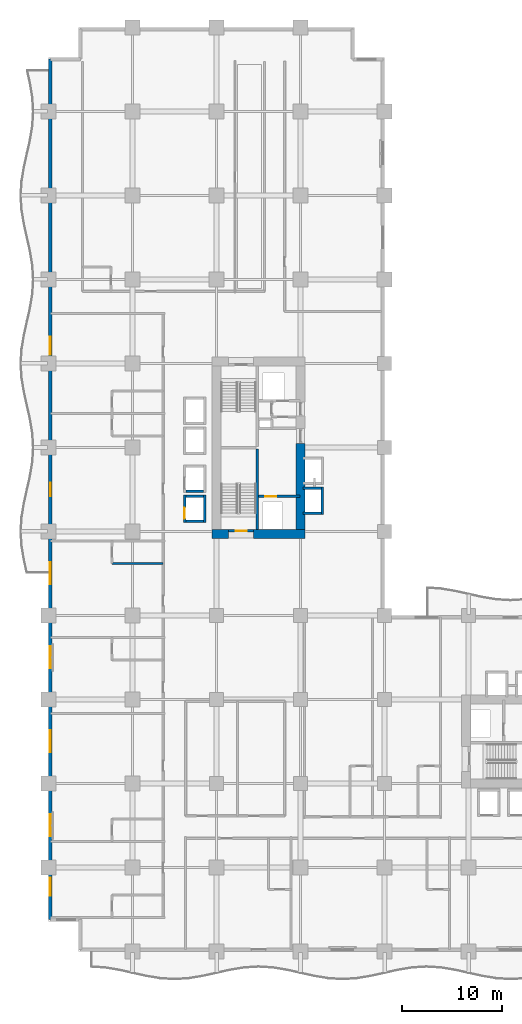
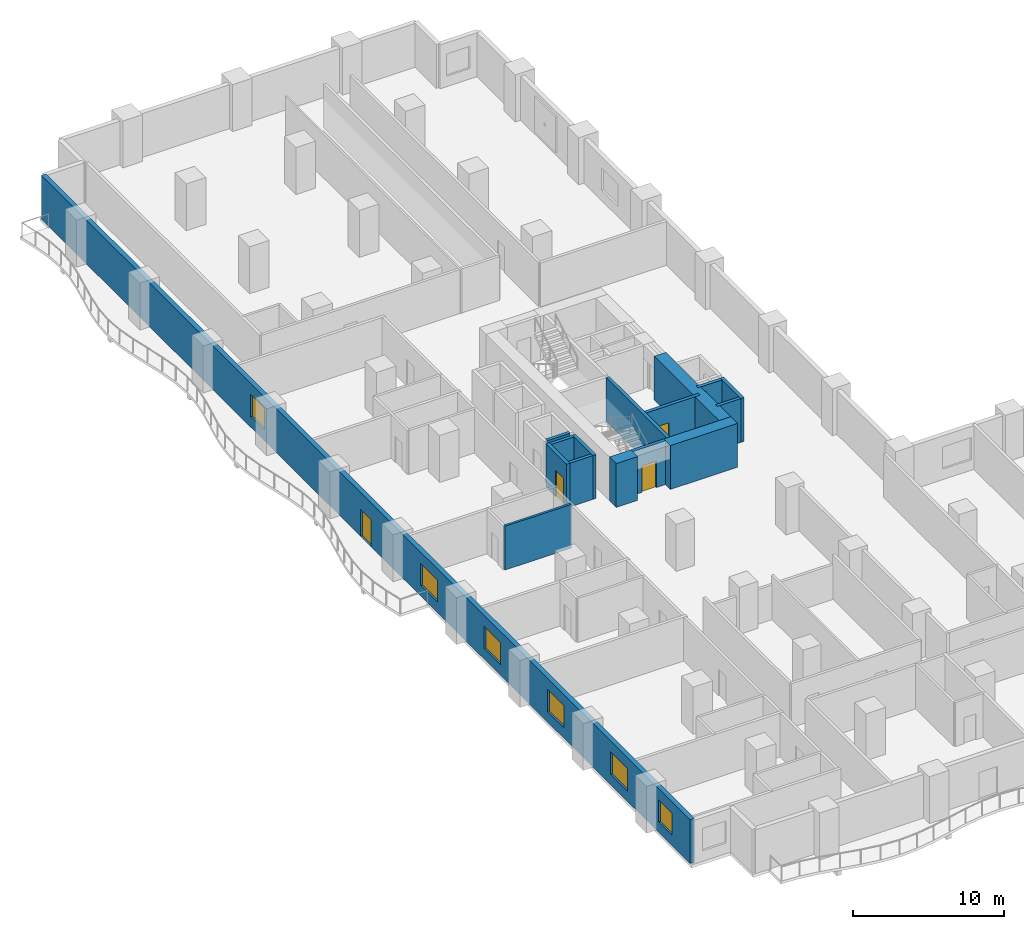
# One storey, part 15 of 27: 16 walls, 6 windows, 4 doors, 10 openings.
"""IFC4 building model written with IfcOpenShell, lengths in metres."""

from ifc_helpers import new_model, si_unit, direction, frame, frame_2d, origin, place, context, subcontext, project, spatial, rectangle, extrude, material, layer, layer_set, type_object, element, fill, save


model = new_model("IFC4")

# Units and contexts
model_context = context("Model", 3, precision=1e-05, world=origin(), true_north=direction((0.0, 1.0)))
body_context = subcontext(model_context, "Body", "Model", "MODEL_VIEW")
ifc_project = project(units=[si_unit("LENGTHUNIT", "METRE"), si_unit("AREAUNIT", "SQUARE_METRE"), si_unit("VOLUMEUNIT", "CUBIC_METRE"), si_unit("PLANEANGLEUNIT", "RADIAN"), si_unit("MASSUNIT", "GRAM", prefix="KILO")], contexts=[model_context])

# Site, building, storey
site_placement = place(None, origin())
site = spatial("IfcSite", under=ifc_project, at=site_placement, CompositionType="ELEMENT")
building_placement = place(site_placement, origin())
building = spatial("IfcBuilding", under=site, at=building_placement, Name="Koriwani Terraces Tower", CompositionType="ELEMENT")
storey_placement = place(building_placement, frame((0.0, 0.0, 70.0)))
storey = spatial("IfcBuildingStorey", under=building, at=storey_placement, Name="L16", CompositionType="ELEMENT", Elevation=70.0)

# Walls
ifc_material_1 = material(Name="Concrete C60/75", Category="concrete")
ifc_layer_1 = layer(ifc_material_1, 0.89990234375, Name="Concrete C60/75")
ifc_layer_set_1 = layer_set([ifc_layer_1], Name="Concrete C60/75")
wall_type_1 = type_object("IfcWallType", Name="WALL_CORE_RC_900", PredefinedType="SHEAR", material=ifc_layer_set_1)
wall_1_placement = place(storey_placement, frame((16.35009765625, 41.75, 0.0), z_axis=(0.0, 0.0, 1.0), x_axis=(1.0, 0.0, 0.0)))
element("IfcWall", 1, at=wall_1_placement, inside=storey, type_object=wall_type_1, Name="L16 West Split Core Shear Wall S1", PredefinedType="SHEAR", context=body_context, shape_type="SweptSolid", body=[
    extrude(rectangle(XDim=1.64990234375, YDim=0.89990234375, at=frame_2d((0.824951171875, 0.0))), origin(), (0.0, 0.0, 1.0), 3.550048828125),
])
wall_2_placement = place(storey_placement, frame((20.5, 41.75, 0.0), z_axis=(0.0, 0.0, 1.0), x_axis=(1.0, 0.0, 0.0)))
element("IfcWall", 2, at=wall_2_placement, inside=storey, type_object=wall_type_1, Name="L16 West Split Core Shear Wall S2", PredefinedType="SHEAR", context=body_context, shape_type="SweptSolid", body=[
    extrude(rectangle(XDim=5.14990234375, YDim=0.89990234375, at=frame_2d((2.574951171875, 0.0))), origin(), (0.0, 0.0, 1.0), 3.550048828125),
])
wall_3_placement = place(storey_placement, frame((25.199951171875, 42.199951171875, 0.0), z_axis=(0.0, 0.0, 1.0), x_axis=(0.0, 1.0, 0.0)))
element("IfcWall", 3, at=wall_3_placement, inside=storey, type_object=wall_type_1, Name="L16 West Split Core Shear Wall E1", PredefinedType="SHEAR", context=body_context, shape_type="SweptSolid", body=[
    extrude(rectangle(XDim=8.60009765625, YDim=0.89990234375, at=frame_2d((4.300048828125, 0.0))), origin(), (0.0, 0.0, 1.0), 3.550048828125),
])

# Wall, openings, door, windows
ifc_material_2 = material(Name="Concrete C50/60", Category="concrete")
ifc_layer_2 = layer(ifc_material_2, 0.35009765625, Name="Concrete C50/60")
ifc_layer_set_2 = layer_set([ifc_layer_2], Name="Concrete C50/60")
wall_type_2 = type_object("IfcWallType", Name="WALL_EXT_BRUTALIST_350", PredefinedType="STANDARD", material=ifc_layer_set_2)
wall_4_placement = place(storey_placement, frame((0.175048828125, 3.175048828125, 0.0), z_axis=(0.0, 0.0, 1.0), x_axis=(0.0, 1.0, 0.0)))
wall_4 = element("IfcWall", 4, at=wall_4_placement, inside=storey, type_object=wall_type_2, Name="L16 Fair-Faced Brutalist Exterior Wall (W)", PredefinedType="STANDARD", context=body_context, shape_type="SweptSolid", body=[
    extrude(rectangle(XDim=86.050048828125, YDim=0.35009765625, at=frame_2d((43.02490234375, 0.0))), origin(), (0.0, 0.0, 1.0), 3.550048828125),
])
opening_1_placement = place(wall_4_placement, frame((42.324951171875, 0.0, 0.0)))
opening_1 = element("IfcOpeningElement", 5, at=opening_1_placement, cuts=wall_4, Name="Opening D-09", PredefinedType="OPENING", context=body_context, shape_type="SweptSolid", body=[
    extrude(rectangle(XDim=1.39990234375, YDim=2.199951171875, at=frame_2d((0.699951171875, 1.10009765625))), frame((0.0, 0.18505859375, 0.0), z_axis=(0.0, -1.0, 0.0), x_axis=(1.0, 0.0, 0.0)), (0.0, 0.0, 1.0), 0.3701171875),
])
opening_2_placement = place(wall_4_placement, frame((8.324951171875, 0.0, 0.85009765625)))
opening_2 = element("IfcOpeningElement", 6, at=opening_2_placement, cuts=wall_4, Name="Opening W-01", PredefinedType="OPENING", context=body_context, shape_type="SweptSolid", body=[
    extrude(rectangle(XDim=2.199951171875, YDim=1.800048828125, at=frame_2d((1.10009765625, 0.89990234375))), frame((0.0, 0.18505859375, 0.0), z_axis=(0.0, -1.0, 0.0), x_axis=(1.0, 0.0, 0.0)), (0.0, 0.0, 1.0), 0.3701171875),
])
opening_3_placement = place(wall_4_placement, frame((16.72509765625, 0.0, 0.85009765625)))
opening_3 = element("IfcOpeningElement", 7, at=opening_3_placement, cuts=wall_4, Name="Opening W-01", PredefinedType="OPENING", context=body_context, shape_type="SweptSolid", body=[
    extrude(rectangle(XDim=2.199951171875, YDim=1.800048828125, at=frame_2d((1.10009765625, 0.89990234375))), frame((0.0, 0.18505859375, 0.0), z_axis=(0.0, -1.0, 0.0), x_axis=(1.0, 0.0, 0.0)), (0.0, 0.0, 1.0), 0.3701171875),
])
opening_4_placement = place(wall_4_placement, frame((25.125, 0.0, 0.85009765625)))
opening_4 = element("IfcOpeningElement", 8, at=opening_4_placement, cuts=wall_4, Name="Opening W-01", PredefinedType="OPENING", context=body_context, shape_type="SweptSolid", body=[
    extrude(rectangle(XDim=2.199951171875, YDim=1.800048828125, at=frame_2d((1.10009765625, 0.89990234375))), frame((0.0, 0.18505859375, 0.0), z_axis=(0.0, -1.0, 0.0), x_axis=(1.0, 0.0, 0.0)), (0.0, 0.0, 1.0), 0.3701171875),
])
opening_5_placement = place(wall_4_placement, frame((33.52490234375, 0.0, 0.85009765625)))
opening_5 = element("IfcOpeningElement", 9, at=opening_5_placement, cuts=wall_4, Name="Opening W-01", PredefinedType="OPENING", context=body_context, shape_type="SweptSolid", body=[
    extrude(rectangle(XDim=2.199951171875, YDim=1.800048828125, at=frame_2d((1.10009765625, 0.89990234375))), frame((0.0, 0.18505859375, 0.0), z_axis=(0.0, -1.0, 0.0), x_axis=(1.0, 0.0, 0.0)), (0.0, 0.0, 1.0), 0.3701171875),
])
opening_6_placement = place(wall_4_placement, frame((2.375, 0.0, 0.85009765625)))
opening_6 = element("IfcOpeningElement", 10, at=opening_6_placement, cuts=wall_4, Name="Opening W-04", PredefinedType="OPENING", context=body_context, shape_type="SweptSolid", body=[
    extrude(rectangle(XDim=1.800048828125, YDim=1.800048828125, at=frame_2d((0.89990234375, 0.89990234375))), frame((0.0, 0.18505859375, 0.0), z_axis=(0.0, -1.0, 0.0), x_axis=(1.0, 0.0, 0.0)), (0.0, 0.0, 1.0), 0.3701171875),
])
opening_7_placement = place(wall_4_placement, frame((56.47509765625, 0.0, 0.85009765625)))
opening_7 = element("IfcOpeningElement", 11, at=opening_7_placement, cuts=wall_4, Name="Opening W-04", PredefinedType="OPENING", context=body_context, shape_type="SweptSolid", body=[
    extrude(rectangle(XDim=1.800048828125, YDim=1.800048828125, at=frame_2d((0.89990234375, 0.89990234375))), frame((0.0, 0.18505859375, 0.0), z_axis=(0.0, -1.0, 0.0), x_axis=(1.0, 0.0, 0.0)), (0.0, 0.0, 1.0), 0.3701171875),
])
ifc_material_3 = material(Name="Anodised Bronze Aluminium", Category="aluminium")
door_type_1 = type_object("IfcDoorType", Name="DOOR_BALCONY_GLAZED_1400X2200", OperationType="NOTDEFINED", PredefinedType="DOOR", material=ifc_material_3)
door_1_placement = place(opening_1_placement, origin())
door_1 = element("IfcDoor", 12, at=door_1_placement, inside=storey, type_object=door_type_1, Name="L16 West Balcony Glazed Door", OperationType="SINGLE_SWING_LEFT", OverallHeight=2.199951171875, OverallWidth=1.39990234375, PredefinedType="DOOR", context=body_context, shape_type="SweptSolid", body=[
    extrude(rectangle(XDim=1.39990234375, YDim=2.199951171875, at=frame_2d((0.699951171875, 1.10009765625))), frame((0.0, 0.02490234375, 0.0), z_axis=(0.0, -1.0, 0.0), x_axis=(1.0, 0.0, 0.0)), (0.0, 0.0, 1.0), 0.050048828125),
])
fill(opening_1, door_1)
ifc_material_4 = material(Name="Tempered Laminated Low-E Glass", Category="glass")
window_type_1 = type_object("IfcWindowType", Name="WIN_HOTEL_STD_2200X1800", PartitioningType="DOUBLE_PANEL_VERTICAL", PredefinedType="WINDOW", material=ifc_material_4)
window_1_placement = place(opening_2_placement, origin())
window_1 = element("IfcWindow", 13, at=window_1_placement, inside=storey, type_object=window_type_1, Name="L16 Exterior Window (W-3)", OverallHeight=1.800048828125, OverallWidth=2.199951171875, PartitioningType="SINGLE_PANEL", PredefinedType="WINDOW", context=body_context, shape_type="SweptSolid", body=[
    extrude(rectangle(XDim=2.199951171875, YDim=1.800048828125, at=frame_2d((1.10009765625, 0.89990234375))), frame((0.0, 0.030029296875, 0.0), z_axis=(0.0, -1.0, 0.0), x_axis=(1.0, 0.0, 0.0)), (0.0, 0.0, 1.0), 0.06005859375),
])
fill(opening_2, window_1)
window_2_placement = place(opening_3_placement, origin())
window_2 = element("IfcWindow", 14, at=window_2_placement, inside=storey, type_object=window_type_1, Name="L16 Exterior Window (W-6)", OverallHeight=1.800048828125, OverallWidth=2.199951171875, PartitioningType="SINGLE_PANEL", PredefinedType="WINDOW", context=body_context, shape_type="SweptSolid", body=[
    extrude(rectangle(XDim=2.199951171875, YDim=1.800048828125, at=frame_2d((1.10009765625, 0.89990234375))), frame((0.0, 0.030029296875, 0.0), z_axis=(0.0, -1.0, 0.0), x_axis=(1.0, 0.0, 0.0)), (0.0, 0.0, 1.0), 0.06005859375),
])
fill(opening_3, window_2)
window_3_placement = place(opening_4_placement, origin())
window_3 = element("IfcWindow", 15, at=window_3_placement, inside=storey, type_object=window_type_1, Name="L16 Exterior Window (W-9)", OverallHeight=1.800048828125, OverallWidth=2.199951171875, PartitioningType="SINGLE_PANEL", PredefinedType="WINDOW", context=body_context, shape_type="SweptSolid", body=[
    extrude(rectangle(XDim=2.199951171875, YDim=1.800048828125, at=frame_2d((1.10009765625, 0.89990234375))), frame((0.0, 0.030029296875, 0.0), z_axis=(0.0, -1.0, 0.0), x_axis=(1.0, 0.0, 0.0)), (0.0, 0.0, 1.0), 0.06005859375),
])
fill(opening_4, window_3)
window_4_placement = place(opening_5_placement, origin())
window_4 = element("IfcWindow", 16, at=window_4_placement, inside=storey, type_object=window_type_1, Name="L16 Exterior Window (W-12)", OverallHeight=1.800048828125, OverallWidth=2.199951171875, PartitioningType="SINGLE_PANEL", PredefinedType="WINDOW", context=body_context, shape_type="SweptSolid", body=[
    extrude(rectangle(XDim=2.199951171875, YDim=1.800048828125, at=frame_2d((1.10009765625, 0.89990234375))), frame((0.0, 0.030029296875, 0.0), z_axis=(0.0, -1.0, 0.0), x_axis=(1.0, 0.0, 0.0)), (0.0, 0.0, 1.0), 0.06005859375),
])
fill(opening_5, window_4)
window_type_2 = type_object("IfcWindowType", Name="WIN_RES_BED_1800X1800", PartitioningType="DOUBLE_PANEL_VERTICAL", PredefinedType="WINDOW", material=ifc_material_4)
window_5_placement = place(opening_6_placement, origin())
window_5 = element("IfcWindow", 17, at=window_5_placement, inside=storey, type_object=window_type_2, Name="L16 Exterior Window (W-R37)", OverallHeight=1.800048828125, OverallWidth=1.800048828125, PartitioningType="SINGLE_PANEL", PredefinedType="WINDOW", context=body_context, shape_type="SweptSolid", body=[
    extrude(rectangle(XDim=1.800048828125, YDim=1.800048828125, at=frame_2d((0.89990234375, 0.89990234375))), frame((0.0, 0.030029296875, 0.0), z_axis=(0.0, -1.0, 0.0), x_axis=(1.0, 0.0, 0.0)), (0.0, 0.0, 1.0), 0.06005859375),
])
fill(opening_6, window_5)
window_6_placement = place(opening_7_placement, origin())
window_6 = element("IfcWindow", 18, at=window_6_placement, inside=storey, type_object=window_type_2, Name="L16 Exterior Window (W-R47)", OverallHeight=1.800048828125, OverallWidth=1.800048828125, PartitioningType="SINGLE_PANEL", PredefinedType="WINDOW", context=body_context, shape_type="SweptSolid", body=[
    extrude(rectangle(XDim=1.800048828125, YDim=1.800048828125, at=frame_2d((0.89990234375, 0.89990234375))), frame((0.0, 0.030029296875, 0.0), z_axis=(0.0, -1.0, 0.0), x_axis=(1.0, 0.0, 0.0)), (0.0, 0.0, 1.0), 0.06005859375),
])
fill(opening_7, window_6)

# Walls
ifc_material_5 = material(Name="Fire-Rated Acoustic Gypsum Partition", Category="masonry")
ifc_layer_3 = layer(ifc_material_5, 0.179931640625, Name="Fire-Rated Acoustic Gypsum Partition")
ifc_layer_set_3 = layer_set([ifc_layer_3], Name="Fire-Rated Acoustic Gypsum Partition")
wall_type_3 = type_object("IfcWallType", Name="WALL_PLUMBING_180", PredefinedType="PLUMBINGWALL", material=ifc_layer_set_3)
wall_5_placement = place(storey_placement, frame((6.35009765625, 38.800048828125, 0.0), z_axis=(0.0, 0.0, 1.0), x_axis=(1.0, 0.0, 0.0)))
element("IfcWall", 19, at=wall_5_placement, inside=storey, type_object=wall_type_3, Name="L16 Interior Wall WBTH2-L16-NW-3", PredefinedType="PLUMBINGWALL", context=body_context, shape_type="SweptSolid", body=[
    extrude(rectangle(XDim=5.099853515625, YDim=0.179931640625, at=frame_2d((2.5498046875, 0.0))), origin(), (0.0, 0.0, 1.0), 3.550048828125),
])
ifc_material_6 = material(Name="Concrete C40/50", Category="concrete")
ifc_layer_4 = layer(ifc_material_6, 0.25, Name="Concrete C40/50")
ifc_layer_set_4 = layer_set([ifc_layer_4], Name="Concrete C40/50")
wall_type_4 = type_object("IfcWallType", Name="WALL_SHAFT_RATED_250", PredefinedType="SOLIDWALL", material=ifc_layer_set_4)
wall_6_placement = place(storey_placement, frame((20.875, 42.199951171875, 0.0), z_axis=(0.0, 0.0, 1.0), x_axis=(0.0, 1.0, 0.0)))
element("IfcWall", 20, at=wall_6_placement, inside=storey, type_object=wall_type_4, Name="L16 West Split Core Web Wall MID1", PredefinedType="SOLIDWALL", context=body_context, shape_type="SweptSolid", body=[
    extrude(rectangle(XDim=8.050048828125, YDim=0.25, at=frame_2d((4.02490234375, 0.0))), origin(), (0.0, 0.0, 1.0), 3.550048828125),
])

# Wall, opening, door
wall_7_placement = place(storey_placement, frame((18.0, 42.074951171875, 0.0), z_axis=(0.0, 0.0, 1.0), x_axis=(1.0, 0.0, 0.0)))
wall_7 = element("IfcWall", 21, at=wall_7_placement, inside=storey, type_object=wall_type_4, Name="L16 Interior Wall WIN-CW-L16-STS", PredefinedType="SOLIDWALL", context=body_context, shape_type="SweptSolid", body=[
    extrude(rectangle(XDim=2.5, YDim=0.25, at=frame_2d((1.25, 0.0))), origin(), (0.0, 0.0, 1.0), 3.550048828125),
])
opening_8_placement = place(wall_7_placement, frame((0.699951171875, 0.0, 0.0)))
opening_8 = element("IfcOpeningElement", 22, at=opening_8_placement, cuts=wall_7, Name="Opening D-03", PredefinedType="OPENING", context=body_context, shape_type="SweptSolid", body=[
    extrude(rectangle(XDim=1.10009765625, YDim=2.14990234375, at=frame_2d((0.550048828125, 1.074951171875))), frame((0.0, 0.135009765625, 0.0), z_axis=(0.0, -1.0, 0.0), x_axis=(1.0, 0.0, 0.0)), (0.0, 0.0, 1.0), 0.27001953125),
])
ifc_material_7 = material(Name="Steel ASTM A572 Grade 50", Category="steel")
door_type_2 = type_object("IfcDoorType", Name="DOOR_STAIR_FIRE_1100X2150", OperationType="NOTDEFINED", PredefinedType="DOOR", material=ifc_material_7)
door_2_placement = place(opening_8_placement, origin())
door_2 = element("IfcDoor", 23, at=door_2_placement, inside=storey, type_object=door_type_2, Name="L16 Exit Stair ST-W1 Door", OperationType="SINGLE_SWING_RIGHT", OverallHeight=2.14990234375, OverallWidth=1.10009765625, PredefinedType="DOOR", context=body_context, shape_type="SweptSolid", body=[
    extrude(rectangle(XDim=1.10009765625, YDim=2.14990234375, at=frame_2d((0.550048828125, 1.074951171875))), frame((0.0, 0.02490234375, 0.0), z_axis=(0.0, -1.0, 0.0), x_axis=(1.0, 0.0, 0.0)), (0.0, 0.0, 1.0), 0.050048828125),
])
fill(opening_8, door_2)

wall_8_placement = place(storey_placement, frame((21.0, 45.5, 0.0), z_axis=(0.0, 0.0, 1.0), x_axis=(1.0, 0.0, 0.0)))
wall_8 = element("IfcWall", 24, at=wall_8_placement, inside=storey, type_object=wall_type_4, Name="L16 Interior Wall WIN-CW-L16-FE", PredefinedType="SOLIDWALL", context=body_context, shape_type="SweptSolid", body=[
    extrude(rectangle(XDim=4.14990234375, YDim=0.25, at=frame_2d((2.074951171875, 0.0))), origin(), (0.0, 0.0, 1.0), 3.550048828125),
])
opening_9_placement = place(wall_8_placement, frame((0.64990234375, 0.0, 0.0)))
opening_9 = element("IfcOpeningElement", 25, at=opening_9_placement, cuts=wall_8, Name="Opening LD-01", PredefinedType="OPENING", context=body_context, shape_type="SweptSolid", body=[
    extrude(rectangle(XDim=1.10009765625, YDim=2.14990234375, at=frame_2d((0.550048828125, 1.074951171875))), frame((0.0, 0.135009765625, 0.0), z_axis=(0.0, -1.0, 0.0), x_axis=(1.0, 0.0, 0.0)), (0.0, 0.0, 1.0), 0.27001953125),
])
door_type_3 = type_object("IfcDoorType", Name="DOOR_LIFT_LANDING_1100X2200", OperationType="NOTDEFINED", PredefinedType="DOOR", material=ifc_material_7)
door_3_placement = place(opening_9_placement, origin())
door_3 = element("IfcDoor", 26, at=door_3_placement, inside=storey, type_object=door_type_3, Name="L16 Firefighting Lift FE-01 Landing Door", OperationType="SLIDING_TO_LEFT", OverallHeight=2.14990234375, OverallWidth=1.10009765625, PredefinedType="DOOR", context=body_context, shape_type="SweptSolid", body=[
    extrude(rectangle(XDim=1.10009765625, YDim=2.14990234375, at=frame_2d((0.550048828125, 1.074951171875))), frame((0.0, 0.02490234375, 0.0), z_axis=(0.0, -1.0, 0.0), x_axis=(1.0, 0.0, 0.0)), (0.0, 0.0, 1.0), 0.050048828125),
])
fill(opening_9, door_3)

wall_9_placement = place(storey_placement, frame((13.60009765625, 42.875, 0.0), z_axis=(0.0, 0.0, 1.0), x_axis=(0.0, 1.0, 0.0)))
wall_9 = element("IfcWall", 27, at=wall_9_placement, inside=storey, type_object=wall_type_4, Name="L16 Interior Wall WIN-LF-PE-L1-L16-F", PredefinedType="SOLIDWALL", context=body_context, shape_type="SweptSolid", body=[
    extrude(rectangle(XDim=2.75, YDim=0.25, at=frame_2d((1.375, 0.0))), origin(), (0.0, 0.0, 1.0), 3.550048828125),
])
opening_10_placement = place(wall_9_placement, frame((0.39990234375, 0.0, 0.0)))
opening_10 = element("IfcOpeningElement", 28, at=opening_10_placement, cuts=wall_9, Name="Opening LD-01", PredefinedType="OPENING", context=body_context, shape_type="SweptSolid", body=[
    extrude(rectangle(XDim=1.10009765625, YDim=2.14990234375, at=frame_2d((0.550048828125, 1.074951171875))), frame((0.0, 0.135009765625, 0.0), z_axis=(0.0, -1.0, 0.0), x_axis=(1.0, 0.0, 0.0)), (0.0, 0.0, 1.0), 0.27001953125),
])
door_4_placement = place(opening_10_placement, origin())
door_4 = element("IfcDoor", 29, at=door_4_placement, inside=storey, type_object=door_type_3, Name="L16 Passenger Lift PE-L1 Landing Door", OperationType="SLIDING_TO_LEFT", OverallHeight=2.14990234375, OverallWidth=1.10009765625, PredefinedType="DOOR", context=body_context, shape_type="SweptSolid", body=[
    extrude(rectangle(XDim=1.10009765625, YDim=2.14990234375, at=frame_2d((0.550048828125, 1.074951171875))), frame((0.0, 0.02490234375, 0.0), z_axis=(0.0, -1.0, 0.0), x_axis=(1.0, 0.0, 0.0)), (0.0, 0.0, 1.0), 0.050048828125),
])
fill(opening_10, door_4)

# Walls
wall_10_placement = place(storey_placement, frame((15.60009765625, 42.875, 0.0), z_axis=(0.0, 0.0, 1.0), x_axis=(0.0, 1.0, 0.0)))
element("IfcWall", 30, at=wall_10_placement, inside=storey, type_object=wall_type_4, Name="L16 Interior Wall WIN-LF-PE-L1-L16-B", PredefinedType="SOLIDWALL", context=body_context, shape_type="SweptSolid", body=[
    extrude(rectangle(XDim=2.75, YDim=0.25, at=frame_2d((1.375, 0.0))), origin(), (0.0, 0.0, 1.0), 3.550048828125),
])
for number, where, z_axis, x_axis, name in (
    (31, (13.72509765625, 43.0, 0.0), (0.0, 0.0, 1.0), (1.0, 0.0, 0.0), "L16 Interior Wall WIN-LF-PE-L1-L16-S"),
    (32, (13.72509765625, 45.5, 0.0), (0.0, 0.0, 1.0), (1.0, 0.0, 0.0), "L16 Interior Wall WIN-LF-PE-L1-L16-N"),
    (33, (13.72509765625, 46.0, 0.0), (0.0, 0.0, 1.0), (1.0, 0.0, 0.0), "L16 Interior Wall WIN-LF-PE-L2-L16-S"),
):
    element("IfcWall", number, at=place(storey_placement, frame(where, z_axis=z_axis, x_axis=x_axis)), inside=storey, type_object=wall_type_4, Name=name, PredefinedType="SOLIDWALL", context=body_context, shape_type="SweptSolid", body=[
        extrude(rectangle(XDim=1.75, YDim=0.25, at=frame_2d((0.875, 0.0))), origin(), (0.0, 0.0, 1.0), 3.550048828125),
    ])
wall_11_placement = place(storey_placement, frame((27.39990234375, 43.675048828125, 0.0), z_axis=(0.0, 0.0, 1.0), x_axis=(0.0, 1.0, 0.0)))
element("IfcWall", 34, at=wall_11_placement, inside=storey, type_object=wall_type_4, Name="L16 Interior Wall WIN-LF-PE-H1-L16-F", PredefinedType="SOLIDWALL", context=body_context, shape_type="SweptSolid", body=[
    extrude(rectangle(XDim=2.75, YDim=0.25, at=frame_2d((1.375, 0.0))), origin(), (0.0, 0.0, 1.0), 3.550048828125),
])
for number, where, z_axis, x_axis, name in (
    (35, (25.449951171875, 43.800048828125, 0.0), (0.0, 0.0, 1.0), (1.0, 0.0, 0.0), "L16 Interior Wall WIN-LF-PE-H1-L16-S"),
    (36, (25.449951171875, 46.300048828125, 0.0), (0.0, 0.0, 1.0), (1.0, 0.0, 0.0), "L16 Interior Wall WIN-LF-PE-H1-L16-N"),
):
    element("IfcWall", number, at=place(storey_placement, frame(where, z_axis=z_axis, x_axis=x_axis)), inside=storey, type_object=wall_type_4, Name=name, PredefinedType="SOLIDWALL", context=body_context, shape_type="SweptSolid", body=[
        extrude(rectangle(XDim=1.824951171875, YDim=0.25, at=frame_2d((0.91259765625, 0.0))), origin(), (0.0, 0.0, 1.0), 3.550048828125),
    ])

save(model, "model.ifc")
